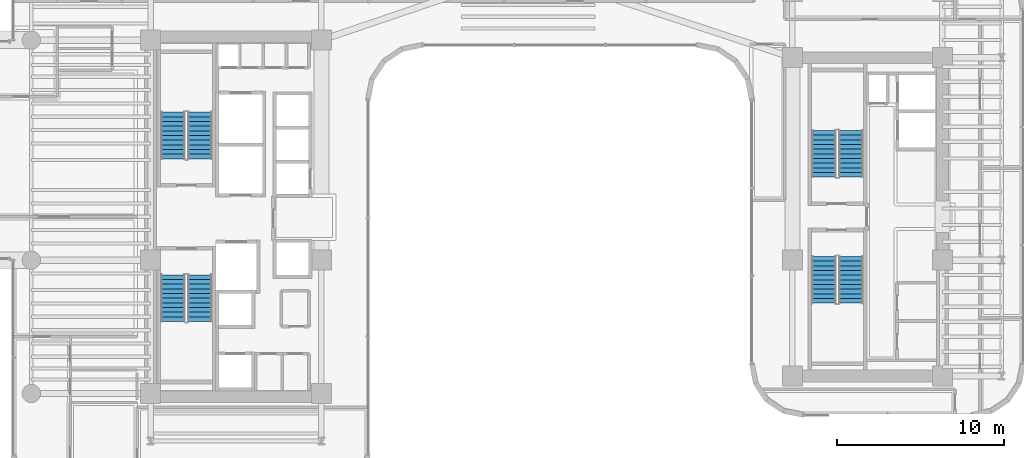
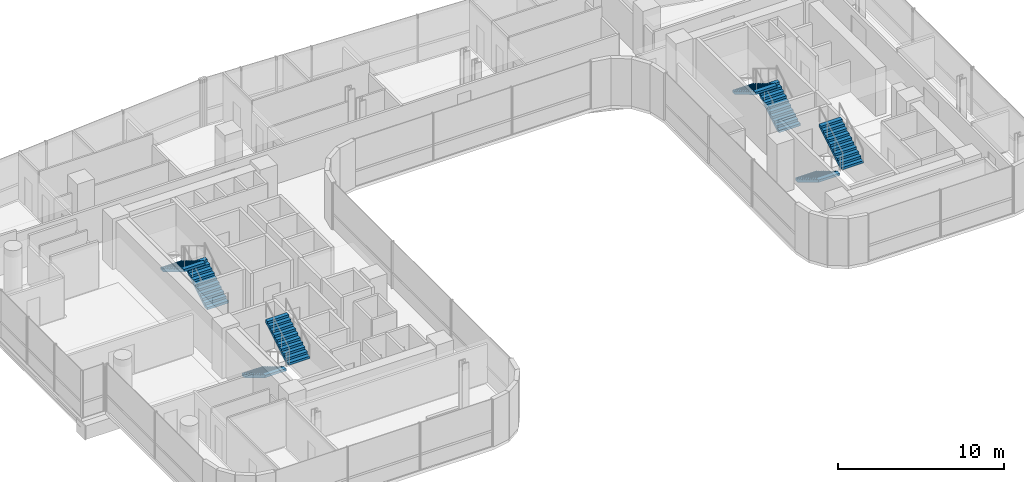
# One storey, part 31 of 36: 8 stair flights, 4 elements without a shape of their own.
"""IFC4 building model written with IfcOpenShell, lengths in metres."""

from ifc_helpers import new_model, si_unit, direction, frame, origin, place, context, subcontext, project, spatial, polyline, outline, extrude, material, type_object, element, aggregate, save


model = new_model("IFC4")

# Units and contexts
model_context = context("Model", 3, precision=1e-05, world=origin(), true_north=direction((0.0, 1.0)))
body_context = subcontext(model_context, "Body", "Model", "MODEL_VIEW")
ifc_project = project(units=[si_unit("LENGTHUNIT", "METRE"), si_unit("AREAUNIT", "SQUARE_METRE"), si_unit("VOLUMEUNIT", "CUBIC_METRE"), si_unit("PLANEANGLEUNIT", "RADIAN"), si_unit("MASSUNIT", "GRAM", prefix="KILO")], contexts=[model_context])

# Site, building, storey
site_placement = place(None, origin())
site = spatial("IfcSite", under=ifc_project, at=site_placement, CompositionType="ELEMENT")
building_placement = place(site_placement, origin())
building = spatial("IfcBuilding", under=site, at=building_placement, Name="Valdorenza Pilgrim Sanctuary Tower", CompositionType="ELEMENT")
storey_placement = place(building_placement, frame((0.0, 0.0, 109.39990234375)))
storey = spatial("IfcBuildingStorey", under=building, at=storey_placement, Name="L27", CompositionType="ELEMENT", Elevation=109.39990234375)

# Stair, stair flights
ifc_material = material(Name="Concrete C40/50", Category="concrete")
stair_type = type_object("IfcStairType", Name="STR-DOG-CORE", PredefinedType="HALF_TURN_STAIR", material=ifc_material)
stair_1_placement = place(storey_placement, origin())
stair_1 = element("IfcStair", 1, at=stair_1_placement, inside=storey, type_object=stair_type, Name="L27 ST-A1", PredefinedType="HALF_TURN_STAIR")
stair_flight_type = type_object("IfcStairFlightType", Name="STF-RC-1400", PredefinedType="STRAIGHT", material=ifc_material)
stair_flight_1_placement = place(storey_placement, frame((-19.679931640625, 3.47998046875, 0.0), z_axis=(0.0, 0.0, 1.0), x_axis=(0.0, 1.0, 0.0)))
stair_flight_1 = element("IfcStairFlight", 2, at=stair_flight_1_placement, type_object=stair_flight_type, Name="ST-A1 flight 1", NumberOfRisers=11, NumberOfTreads=10, PredefinedType="STRAIGHT", RiserHeight=0.168181818, TreadLength=0.28, context=body_context, shape_type="SweptSolid", body=[
    extrude(outline(polyline([(0.0, 0.0), (0.0, 0.168212890625), (0.280029296875, 0.168212890625), (0.280029296875, 0.33642578125), (0.56005859375, 0.33642578125), (0.56005859375, 0.504638671875), (0.840087890625, 0.504638671875), (0.840087890625, 0.672607421875), (1.1201171875, 0.672607421875), (1.1201171875, 0.8408203125), (1.39990234375, 0.8408203125), (1.39990234375, 1.009033203125), (1.679931640625, 1.009033203125), (1.679931640625, 1.17724609375), (1.9599609375, 1.17724609375), (1.9599609375, 1.345458984375), (2.239990234375, 1.345458984375), (2.239990234375, 1.513671875), (2.52001953125, 1.513671875), (2.52001953125, 1.681884765625), (2.800048828125, 1.681884765625), (2.800048828125, 1.85009765625), (2.800048828125, 1.5068359375), (0.291015625, 0.0), (0.0, 0.0)])), frame((0.0, 0.739990234375, 0.0), z_axis=(0.0, -1.0, 0.0), x_axis=(1.0, 0.0, 0.0)), (0.0, 0.0, 1.0), 1.47998046875),
])
stair_flight_2_placement = place(storey_placement, frame((-21.31005859375, 6.280029296875, 1.85009765625), z_axis=(0.0, 0.0, 1.0), x_axis=(0.0, -1.0, 0.0)))
stair_flight_2 = element("IfcStairFlight", 3, at=stair_flight_2_placement, type_object=stair_flight_type, Name="ST-A1 flight 2", NumberOfRisers=11, NumberOfTreads=10, PredefinedType="STRAIGHT", RiserHeight=0.168181818, TreadLength=0.28, context=body_context, shape_type="SweptSolid", body=[
    extrude(outline(polyline([(0.0, 0.0), (0.0, 0.168212890625), (0.280029296875, 0.168212890625), (0.280029296875, 0.33642578125), (0.56005859375, 0.33642578125), (0.56005859375, 0.504638671875), (0.840087890625, 0.504638671875), (0.840087890625, 0.672607421875), (1.1201171875, 0.672607421875), (1.1201171875, 0.8408203125), (1.39990234375, 0.8408203125), (1.39990234375, 1.009033203125), (1.679931640625, 1.009033203125), (1.679931640625, 1.17724609375), (1.9599609375, 1.17724609375), (1.9599609375, 1.345458984375), (2.239990234375, 1.345458984375), (2.239990234375, 1.513671875), (2.52001953125, 1.513671875), (2.52001953125, 1.681884765625), (2.800048828125, 1.681884765625), (2.800048828125, 1.85009765625), (2.800048828125, 1.5068359375), (0.291015625, 0.0), (0.0, 0.0)])), frame((0.0, 0.739990234375, 0.0), z_axis=(0.0, -1.0, 0.0), x_axis=(1.0, 0.0, 0.0)), (0.0, 0.0, 1.0), 1.47998046875),
])
aggregate(stair_1, [stair_flight_1, stair_flight_2])

stair_2_placement = place(storey_placement, origin())
stair_2 = element("IfcStair", 4, at=stair_2_placement, inside=storey, type_object=stair_type, Name="L27 ST-A2", PredefinedType="HALF_TURN_STAIR")
stair_flight_3_placement = place(storey_placement, frame((-21.31005859375, -3.47998046875, 0.0), z_axis=(0.0, 0.0, 1.0), x_axis=(0.0, -1.0, 0.0)))
stair_flight_3 = element("IfcStairFlight", 5, at=stair_flight_3_placement, type_object=stair_flight_type, Name="ST-A2 flight 1", NumberOfRisers=11, NumberOfTreads=10, PredefinedType="STRAIGHT", RiserHeight=0.168181818, TreadLength=0.28, context=body_context, shape_type="SweptSolid", body=[
    extrude(outline(polyline([(0.0, 0.0), (0.0, 0.168212890625), (0.280029296875, 0.168212890625), (0.280029296875, 0.33642578125), (0.56005859375, 0.33642578125), (0.56005859375, 0.504638671875), (0.840087890625, 0.504638671875), (0.840087890625, 0.672607421875), (1.1201171875, 0.672607421875), (1.1201171875, 0.8408203125), (1.39990234375, 0.8408203125), (1.39990234375, 1.009033203125), (1.679931640625, 1.009033203125), (1.679931640625, 1.17724609375), (1.9599609375, 1.17724609375), (1.9599609375, 1.345458984375), (2.239990234375, 1.345458984375), (2.239990234375, 1.513671875), (2.52001953125, 1.513671875), (2.52001953125, 1.681884765625), (2.800048828125, 1.681884765625), (2.800048828125, 1.85009765625), (2.800048828125, 1.5068359375), (0.291015625, 0.0), (0.0, 0.0)])), frame((0.0, 0.739990234375, 0.0), z_axis=(0.0, -1.0, 0.0), x_axis=(1.0, 0.0, 0.0)), (0.0, 0.0, 1.0), 1.47998046875),
])
stair_flight_4_placement = place(storey_placement, frame((-19.679931640625, -6.280029296875, 1.85009765625), z_axis=(0.0, 0.0, 1.0), x_axis=(0.0, 1.0, 0.0)))
stair_flight_4 = element("IfcStairFlight", 6, at=stair_flight_4_placement, type_object=stair_flight_type, Name="ST-A2 flight 2", NumberOfRisers=11, NumberOfTreads=10, PredefinedType="STRAIGHT", RiserHeight=0.168181818, TreadLength=0.28, context=body_context, shape_type="SweptSolid", body=[
    extrude(outline(polyline([(0.0, 0.0), (0.0, 0.168212890625), (0.280029296875, 0.168212890625), (0.280029296875, 0.33642578125), (0.56005859375, 0.33642578125), (0.56005859375, 0.504638671875), (0.840087890625, 0.504638671875), (0.840087890625, 0.672607421875), (1.1201171875, 0.672607421875), (1.1201171875, 0.8408203125), (1.39990234375, 0.8408203125), (1.39990234375, 1.009033203125), (1.679931640625, 1.009033203125), (1.679931640625, 1.17724609375), (1.9599609375, 1.17724609375), (1.9599609375, 1.345458984375), (2.239990234375, 1.345458984375), (2.239990234375, 1.513671875), (2.52001953125, 1.513671875), (2.52001953125, 1.681884765625), (2.800048828125, 1.681884765625), (2.800048828125, 1.85009765625), (2.800048828125, 1.5068359375), (0.291015625, 0.0), (0.0, 0.0)])), frame((0.0, 0.739990234375, 0.0), z_axis=(0.0, -1.0, 0.0), x_axis=(1.0, 0.0, 0.0)), (0.0, 0.0, 1.0), 1.47998046875),
])
aggregate(stair_2, [stair_flight_3, stair_flight_4])

stair_3_placement = place(storey_placement, origin())
stair_3 = element("IfcStair", 7, at=stair_3_placement, inside=storey, type_object=stair_type, Name="L27 ST-B1", PredefinedType="HALF_TURN_STAIR")
stair_flight_5_placement = place(storey_placement, frame((19.3701171875, 2.3798828125, 0.0), z_axis=(0.0, 0.0, 1.0), x_axis=(0.0, 1.0, 0.0)))
stair_flight_5 = element("IfcStairFlight", 8, at=stair_flight_5_placement, type_object=stair_flight_type, Name="ST-B1 flight 1", NumberOfRisers=11, NumberOfTreads=10, PredefinedType="STRAIGHT", RiserHeight=0.168181818, TreadLength=0.28, context=body_context, shape_type="SweptSolid", body=[
    extrude(outline(polyline([(0.0, 0.0), (0.0, 0.168212890625), (0.280029296875, 0.168212890625), (0.280029296875, 0.33642578125), (0.56005859375, 0.33642578125), (0.56005859375, 0.504638671875), (0.840087890625, 0.504638671875), (0.840087890625, 0.672607421875), (1.1201171875, 0.672607421875), (1.1201171875, 0.8408203125), (1.39990234375, 0.8408203125), (1.39990234375, 1.009033203125), (1.679931640625, 1.009033203125), (1.679931640625, 1.17724609375), (1.9599609375, 1.17724609375), (1.9599609375, 1.345458984375), (2.239990234375, 1.345458984375), (2.239990234375, 1.513671875), (2.52001953125, 1.513671875), (2.52001953125, 1.681884765625), (2.800048828125, 1.681884765625), (2.800048828125, 1.85009765625), (2.800048828125, 1.5068359375), (0.291015625, 0.0), (0.0, 0.0)])), frame((0.0, 0.739990234375, 0.0), z_axis=(0.0, -1.0, 0.0), x_axis=(1.0, 0.0, 0.0)), (0.0, 0.0, 1.0), 1.47998046875),
])
stair_flight_6_placement = place(storey_placement, frame((17.739990234375, 5.179931640625, 1.85009765625), z_axis=(0.0, 0.0, 1.0), x_axis=(0.0, -1.0, 0.0)))
stair_flight_6 = element("IfcStairFlight", 9, at=stair_flight_6_placement, type_object=stair_flight_type, Name="ST-B1 flight 2", NumberOfRisers=11, NumberOfTreads=10, PredefinedType="STRAIGHT", RiserHeight=0.168181818, TreadLength=0.28, context=body_context, shape_type="SweptSolid", body=[
    extrude(outline(polyline([(0.0, 0.0), (0.0, 0.168212890625), (0.280029296875, 0.168212890625), (0.280029296875, 0.33642578125), (0.56005859375, 0.33642578125), (0.56005859375, 0.504638671875), (0.840087890625, 0.504638671875), (0.840087890625, 0.672607421875), (1.1201171875, 0.672607421875), (1.1201171875, 0.8408203125), (1.39990234375, 0.8408203125), (1.39990234375, 1.009033203125), (1.679931640625, 1.009033203125), (1.679931640625, 1.17724609375), (1.9599609375, 1.17724609375), (1.9599609375, 1.345458984375), (2.239990234375, 1.345458984375), (2.239990234375, 1.513671875), (2.52001953125, 1.513671875), (2.52001953125, 1.681884765625), (2.800048828125, 1.681884765625), (2.800048828125, 1.85009765625), (2.800048828125, 1.5068359375), (0.291015625, 0.0), (0.0, 0.0)])), frame((0.0, 0.739990234375, 0.0), z_axis=(0.0, -1.0, 0.0), x_axis=(1.0, 0.0, 0.0)), (0.0, 0.0, 1.0), 1.47998046875),
])
aggregate(stair_3, [stair_flight_5, stair_flight_6])

stair_4_placement = place(storey_placement, origin())
stair_4 = element("IfcStair", 10, at=stair_4_placement, inside=storey, type_object=stair_type, Name="L27 ST-B2", PredefinedType="HALF_TURN_STAIR")
stair_flight_7_placement = place(storey_placement, frame((17.739990234375, -2.3798828125, 0.0), z_axis=(0.0, 0.0, 1.0), x_axis=(0.0, -1.0, 0.0)))
stair_flight_7 = element("IfcStairFlight", 11, at=stair_flight_7_placement, type_object=stair_flight_type, Name="ST-B2 flight 1", NumberOfRisers=11, NumberOfTreads=10, PredefinedType="STRAIGHT", RiserHeight=0.168181818, TreadLength=0.28, context=body_context, shape_type="SweptSolid", body=[
    extrude(outline(polyline([(0.0, 0.0), (0.0, 0.168212890625), (0.280029296875, 0.168212890625), (0.280029296875, 0.33642578125), (0.56005859375, 0.33642578125), (0.56005859375, 0.504638671875), (0.840087890625, 0.504638671875), (0.840087890625, 0.672607421875), (1.1201171875, 0.672607421875), (1.1201171875, 0.8408203125), (1.39990234375, 0.8408203125), (1.39990234375, 1.009033203125), (1.679931640625, 1.009033203125), (1.679931640625, 1.17724609375), (1.9599609375, 1.17724609375), (1.9599609375, 1.345458984375), (2.239990234375, 1.345458984375), (2.239990234375, 1.513671875), (2.52001953125, 1.513671875), (2.52001953125, 1.681884765625), (2.800048828125, 1.681884765625), (2.800048828125, 1.85009765625), (2.800048828125, 1.5068359375), (0.291015625, 0.0), (0.0, 0.0)])), frame((0.0, 0.739990234375, 0.0), z_axis=(0.0, -1.0, 0.0), x_axis=(1.0, 0.0, 0.0)), (0.0, 0.0, 1.0), 1.47998046875),
])
stair_flight_8_placement = place(storey_placement, frame((19.3701171875, -5.179931640625, 1.85009765625), z_axis=(0.0, 0.0, 1.0), x_axis=(0.0, 1.0, 0.0)))
stair_flight_8 = element("IfcStairFlight", 12, at=stair_flight_8_placement, type_object=stair_flight_type, Name="ST-B2 flight 2", NumberOfRisers=11, NumberOfTreads=10, PredefinedType="STRAIGHT", RiserHeight=0.168181818, TreadLength=0.28, context=body_context, shape_type="SweptSolid", body=[
    extrude(outline(polyline([(0.0, 0.0), (0.0, 0.168212890625), (0.280029296875, 0.168212890625), (0.280029296875, 0.33642578125), (0.56005859375, 0.33642578125), (0.56005859375, 0.504638671875), (0.840087890625, 0.504638671875), (0.840087890625, 0.672607421875), (1.1201171875, 0.672607421875), (1.1201171875, 0.8408203125), (1.39990234375, 0.8408203125), (1.39990234375, 1.009033203125), (1.679931640625, 1.009033203125), (1.679931640625, 1.17724609375), (1.9599609375, 1.17724609375), (1.9599609375, 1.345458984375), (2.239990234375, 1.345458984375), (2.239990234375, 1.513671875), (2.52001953125, 1.513671875), (2.52001953125, 1.681884765625), (2.800048828125, 1.681884765625), (2.800048828125, 1.85009765625), (2.800048828125, 1.5068359375), (0.291015625, 0.0), (0.0, 0.0)])), frame((0.0, 0.739990234375, 0.0), z_axis=(0.0, -1.0, 0.0), x_axis=(1.0, 0.0, 0.0)), (0.0, 0.0, 1.0), 1.47998046875),
])
aggregate(stair_4, [stair_flight_7, stair_flight_8])

save(model, "model.ifc")
